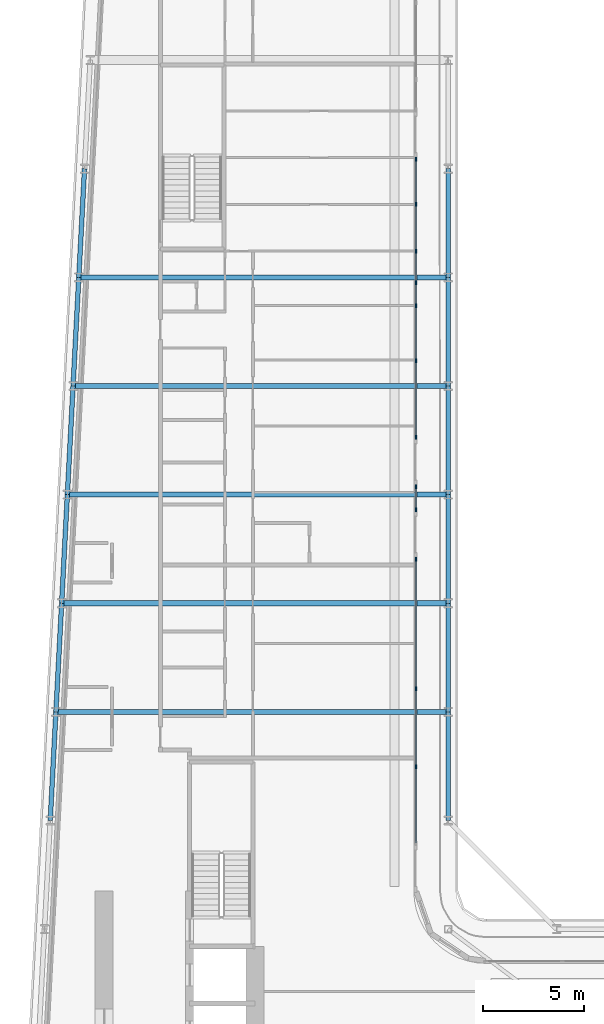
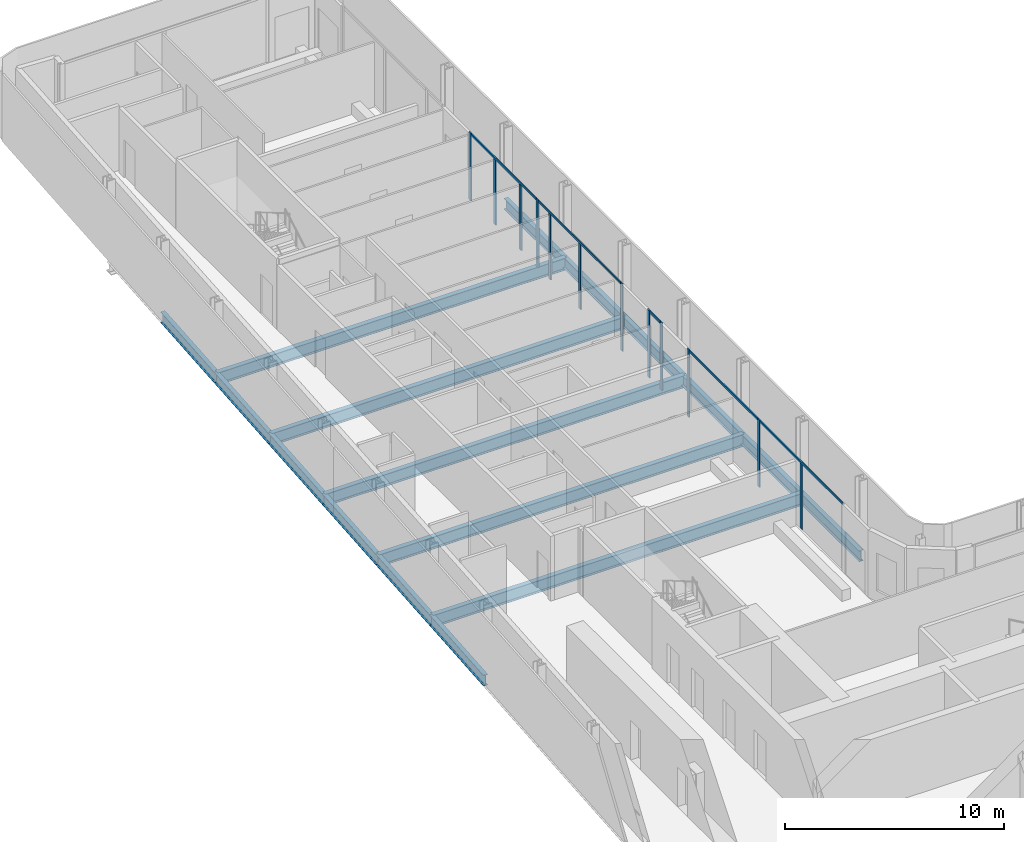
# One storey, part 7 of 28: 17 beams, 17 members, 5 elements without a shape of their own.
"""IFC4 building model written with IfcOpenShell, lengths in metres."""

from ifc_helpers import new_model, si_unit, direction, frame, origin, origin_2d, place, context, subcontext, project, spatial, rectangle, i_section, extrude, material, layer, layer_set, material_profile, profile_set, type_object, element, aggregate, save


model = new_model("IFC4")

# Units and contexts
model_context = context("Model", 3, precision=1e-05, world=origin(), true_north=direction((0.0, 1.0)))
body_context = subcontext(model_context, "Body", "Model", "MODEL_VIEW")
ifc_project = project(units=[si_unit("LENGTHUNIT", "METRE"), si_unit("AREAUNIT", "SQUARE_METRE"), si_unit("VOLUMEUNIT", "CUBIC_METRE"), si_unit("PLANEANGLEUNIT", "RADIAN"), si_unit("MASSUNIT", "GRAM", prefix="KILO")], contexts=[model_context])

# Site, building, storey
site_placement = place(None, origin())
site = spatial("IfcSite", under=ifc_project, at=site_placement, CompositionType="ELEMENT")
building_placement = place(site_placement, origin())
building = spatial("IfcBuilding", under=site, at=building_placement, Name="Kheshtan School and Residences Tower", CompositionType="ELEMENT")
storey_placement = place(building_placement, frame((0.0, 0.0, 133.10009765625)))
storey = spatial("IfcBuildingStorey", under=building, at=storey_placement, Name="L31", CompositionType="ELEMENT", Elevation=133.10009765625)

# Beams
ifc_material_1 = material(Name="Steel ASTM A992 Grade 50", Category="steel")
ifc_material_profile_1 = material_profile(ifc_material_1, i_section(OverallWidth=0.2529296875, OverallDepth=0.677978515625, WebThickness=0.01171875, FlangeThickness=0.016357421875, FilletRadius=0.0146484375, at=origin_2d()), Name="W690x125")
ifc_profile_set_1 = profile_set([ifc_material_profile_1], Name="Steel ASTM A992 Grade 50")
beam_type_1 = type_object("IfcBeamType", Name="Beam FB6 W690x125 ASTM A992 Grade 50", PredefinedType="BEAM", material=ifc_profile_set_1)
beam_1_placement = place(storey_placement, frame((47.60009765625, 78.0, -0.489013671875), z_axis=(-1.0, 0.0, 0.0), x_axis=(0.0, -1.0, 0.0)))
element("IfcBeam", 1, at=beam_1_placement, inside=storey, type_object=beam_type_1, Name="Floor beam C089", PredefinedType="BEAM", context=body_context, shape_type="SweptSolid", body=[
    extrude(i_section(OverallWidth=0.2529296875, OverallDepth=0.677978515625, WebThickness=0.01171875, FlangeThickness=0.016357421875, FilletRadius=0.0146484375, at=origin_2d()), origin(), (0.0, 0.0, 1.0), 18.357177734375),
])
beam_2_placement = place(storey_placement, frame((47.60009765625, 67.199951171875, -0.489013671875), z_axis=(-1.0, 0.0, 0.0), x_axis=(0.0, -1.0, 0.0)))
element("IfcBeam", 2, at=beam_2_placement, inside=storey, type_object=beam_type_1, Name="Floor beam C085", PredefinedType="BEAM", context=body_context, shape_type="SweptSolid", body=[
    extrude(i_section(OverallWidth=0.2529296875, OverallDepth=0.677978515625, WebThickness=0.01171875, FlangeThickness=0.016357421875, FilletRadius=0.0146484375, at=origin_2d()), origin(), (0.0, 0.0, 1.0), 18.926025390625),
])
beam_3_placement = place(storey_placement, frame((47.60009765625, 56.39990234375, -0.489013671875), z_axis=(-1.0, 0.0, 0.0), x_axis=(0.0, -1.0, 0.0)))
element("IfcBeam", 3, at=beam_3_placement, inside=storey, type_object=beam_type_1, Name="Floor beam C081", PredefinedType="BEAM", context=body_context, shape_type="SweptSolid", body=[
    extrude(i_section(OverallWidth=0.2529296875, OverallDepth=0.677978515625, WebThickness=0.01171875, FlangeThickness=0.016357421875, FilletRadius=0.0146484375, at=origin_2d()), origin(), (0.0, 0.0, 1.0), 19.494140625),
])
beam_4_placement = place(storey_placement, frame((28.389892578125, 61.800048828125, -0.489013671875), z_axis=(1.0, 0.0, 0.0), x_axis=(0.0, 1.0, 0.0)))
element("IfcBeam", 4, at=beam_4_placement, inside=storey, type_object=beam_type_1, Name="Floor beam C082", PredefinedType="BEAM", context=body_context, shape_type="SweptSolid", body=[
    extrude(i_section(OverallWidth=0.2529296875, OverallDepth=0.677978515625, WebThickness=0.01171875, FlangeThickness=0.016357421875, FilletRadius=0.0146484375, at=origin_2d()), origin(), (0.0, 0.0, 1.0), 19.210205078125),
])
beam_5_placement = place(storey_placement, frame((28.9580078125, 72.60009765625, -0.489013671875), z_axis=(1.0, 0.0, 0.0), x_axis=(0.0, 1.0, 0.0)))
element("IfcBeam", 5, at=beam_5_placement, inside=storey, type_object=beam_type_1, Name="Floor beam C086", PredefinedType="BEAM", context=body_context, shape_type="SweptSolid", body=[
    extrude(i_section(OverallWidth=0.2529296875, OverallDepth=0.677978515625, WebThickness=0.01171875, FlangeThickness=0.016357421875, FilletRadius=0.0146484375, at=origin_2d()), origin(), (0.0, 0.0, 1.0), 18.64208984375),
])
ifc_material_profile_2 = material_profile(ifc_material_1, i_section(OverallWidth=0.22802734375, OverallDepth=0.60302734375, WebThickness=0.010498046875, FlangeThickness=0.014892578125, FilletRadius=0.013427734375, at=origin_2d()), Name="W610x101")
ifc_profile_set_2 = profile_set([ifc_material_profile_2], Name="Steel ASTM A992 Grade 50")
beam_type_2 = type_object("IfcBeamType", Name="Beam SP2 W610x101 ASTM A992 Grade 50", PredefinedType="BEAM", material=ifc_profile_set_2)
for number, where, z_axis, x_axis, name in (
    (6, (47.60009765625, 83.39990234375, -0.45166015625), (0.0, -1.0, 0.0), (1.0, 0.0, 0.0), "Spandrel beam C091-C089"),
    (7, (47.60009765625, 78.0, -0.45166015625), (0.0, -1.0, 0.0), (1.0, 0.0, 0.0), "Spandrel beam C089-C087"),
):
    element("IfcBeam", number, at=place(storey_placement, frame(where, z_axis=z_axis, x_axis=x_axis)), inside=storey, type_object=beam_type_2, Name=name, PredefinedType="BEAM", context=body_context, shape_type="SweptSolid", body=[
        extrude(i_section(OverallWidth=0.22802734375, OverallDepth=0.60302734375, WebThickness=0.010498046875, FlangeThickness=0.014892578125, FilletRadius=0.013427734375, at=origin_2d()), origin(), (0.0, 0.0, 1.0), 5.39990234375),
    ])
beam_6_placement = place(storey_placement, frame((47.60009765625, 72.60009765625, -0.45166015625), z_axis=(0.0, -1.0, 0.0), x_axis=(1.0, 0.0, 0.0)))
element("IfcBeam", 8, at=beam_6_placement, inside=storey, type_object=beam_type_2, Name="Spandrel beam C087-C085", PredefinedType="BEAM", context=body_context, shape_type="SweptSolid", body=[
    extrude(i_section(OverallWidth=0.22802734375, OverallDepth=0.60302734375, WebThickness=0.010498046875, FlangeThickness=0.014892578125, FilletRadius=0.013427734375, at=origin_2d()), origin(), (0.0, 0.0, 1.0), 5.400146484375),
])
beam_7_placement = place(storey_placement, frame((47.60009765625, 67.199951171875, -0.45166015625), z_axis=(0.0, -1.0, 0.0), x_axis=(1.0, 0.0, 0.0)))
element("IfcBeam", 9, at=beam_7_placement, inside=storey, type_object=beam_type_2, Name="Spandrel beam C085-C083", PredefinedType="BEAM", context=body_context, shape_type="SweptSolid", body=[
    extrude(i_section(OverallWidth=0.22802734375, OverallDepth=0.60302734375, WebThickness=0.010498046875, FlangeThickness=0.014892578125, FilletRadius=0.013427734375, at=origin_2d()), origin(), (0.0, 0.0, 1.0), 5.39990234375),
])
beam_8_placement = place(storey_placement, frame((47.60009765625, 61.800048828125, -0.45166015625), z_axis=(0.0, -1.0, 0.0), x_axis=(1.0, 0.0, 0.0)))
element("IfcBeam", 10, at=beam_8_placement, inside=storey, type_object=beam_type_2, Name="Spandrel beam C083-C081", PredefinedType="BEAM", context=body_context, shape_type="SweptSolid", body=[
    extrude(i_section(OverallWidth=0.22802734375, OverallDepth=0.60302734375, WebThickness=0.010498046875, FlangeThickness=0.014892578125, FilletRadius=0.013427734375, at=origin_2d()), origin(), (0.0, 0.0, 1.0), 5.400146484375),
])
beam_9_placement = place(storey_placement, frame((47.60009765625, 56.39990234375, -0.45166015625), z_axis=(0.0, -1.0, 0.0), x_axis=(1.0, 0.0, 0.0)))
element("IfcBeam", 11, at=beam_9_placement, inside=storey, type_object=beam_type_2, Name="Spandrel beam C081-C079", PredefinedType="BEAM", context=body_context, shape_type="SweptSolid", body=[
    extrude(i_section(OverallWidth=0.22802734375, OverallDepth=0.60302734375, WebThickness=0.010498046875, FlangeThickness=0.014892578125, FilletRadius=0.013427734375, at=origin_2d()), origin(), (0.0, 0.0, 1.0), 5.39990234375),
])
beam_10_placement = place(storey_placement, frame((27.822021484375, 51.0, -0.45166015625), z_axis=(0.05250906864, 0.998620447272, 0.0), x_axis=(-0.998620447272, 0.05250906864, 0.0)))
element("IfcBeam", 12, at=beam_10_placement, inside=storey, type_object=beam_type_2, Name="Spandrel beam C078-C080", PredefinedType="BEAM", context=body_context, shape_type="SweptSolid", body=[
    extrude(i_section(OverallWidth=0.22802734375, OverallDepth=0.60302734375, WebThickness=0.010498046875, FlangeThickness=0.014892578125, FilletRadius=0.013427734375, at=origin_2d()), origin(), (0.0, 0.0, 1.0), 5.407470703125),
])
beam_11_placement = place(storey_placement, frame((28.10595703125, 56.39990234375, -0.45166015625), z_axis=(0.05250670125, 0.998620571751, 0.0), x_axis=(-0.998620571751, 0.05250670125, 0.0)))
element("IfcBeam", 13, at=beam_11_placement, inside=storey, type_object=beam_type_2, Name="Spandrel beam C080-C082", PredefinedType="BEAM", context=body_context, shape_type="SweptSolid", body=[
    extrude(i_section(OverallWidth=0.22802734375, OverallDepth=0.60302734375, WebThickness=0.010498046875, FlangeThickness=0.014892578125, FilletRadius=0.013427734375, at=origin_2d()), origin(), (0.0, 0.0, 1.0), 5.40771484375),
])
beam_12_placement = place(storey_placement, frame((28.389892578125, 61.800048828125, -0.45166015625), z_axis=(0.052554093665, 0.998618078766, 0.0), x_axis=(-0.998618078766, 0.052554093665, 0.0)))
element("IfcBeam", 14, at=beam_12_placement, inside=storey, type_object=beam_type_2, Name="Spandrel beam C082-C084", PredefinedType="BEAM", context=body_context, shape_type="SweptSolid", body=[
    extrude(i_section(OverallWidth=0.22802734375, OverallDepth=0.60302734375, WebThickness=0.010498046875, FlangeThickness=0.014892578125, FilletRadius=0.013427734375, at=origin_2d()), origin(), (0.0, 0.0, 1.0), 5.407470703125),
])
beam_13_placement = place(storey_placement, frame((28.674072265625, 67.199951171875, -0.45166015625), z_axis=(0.05250670125, 0.998620571751, 0.0), x_axis=(-0.998620571751, 0.05250670125, 0.0)))
element("IfcBeam", 15, at=beam_13_placement, inside=storey, type_object=beam_type_2, Name="Spandrel beam C084-C086", PredefinedType="BEAM", context=body_context, shape_type="SweptSolid", body=[
    extrude(i_section(OverallWidth=0.22802734375, OverallDepth=0.60302734375, WebThickness=0.010498046875, FlangeThickness=0.014892578125, FilletRadius=0.013427734375, at=origin_2d()), origin(), (0.0, 0.0, 1.0), 5.40771484375),
])
for number, where, z_axis, x_axis, name in (
    (16, (28.9580078125, 72.60009765625, -0.45166015625), (0.052689166816, 0.998610961136, 0.0), (-0.998610961136, 0.052689166816, 0.0), "Spandrel beam C086-C088"),
    (17, (29.242919921875, 78.0, -0.45166015625), (0.052554093665, 0.998618078766, 0.0), (-0.998618078766, 0.052554093665, 0.0), "Spandrel beam C088-C090"),
):
    element("IfcBeam", number, at=place(storey_placement, frame(where, z_axis=z_axis, x_axis=x_axis)), inside=storey, type_object=beam_type_2, Name=name, PredefinedType="BEAM", context=body_context, shape_type="SweptSolid", body=[
        extrude(i_section(OverallWidth=0.22802734375, OverallDepth=0.60302734375, WebThickness=0.010498046875, FlangeThickness=0.014892578125, FilletRadius=0.013427734375, at=origin_2d()), origin(), (0.0, 0.0, 1.0), 5.407470703125),
    ])

# Curtain wall, members
ifc_material_2 = material(Name="Clear low-e glass in thermally broken aluminium frame", Category="aluminium")
ifc_layer = layer(ifc_material_2, 0.199951171875)
ifc_layer_set = layer_set([ifc_layer], Name="Curtain wall CW-L")
curtain_wall_type = type_object("IfcCurtainWallType", Name="Curtain wall CW-L", PredefinedType="NOTDEFINED", material=ifc_layer_set)
curtain_wall_1_placement = place(storey_placement, origin())
curtain_wall_1 = element("IfcCurtainWall", 18, at=curtain_wall_1_placement, inside=storey, type_object=curtain_wall_type, Name="Curtain wall CWL8b", PredefinedType="NOTDEFINED")
ifc_material_3 = material(Name="Thermally broken aluminium, dark bronze anodised", Category="aluminium")
ifc_material_profile_3 = material_profile(ifc_material_3, rectangle(XDim=0.06005859375, YDim=0.199951171875, at=origin_2d()), Name="CW-L mullion 60x200")
ifc_profile_set_3 = profile_set([ifc_material_profile_3], Name="Thermally broken aluminium, dark bronze anodised")
member_type_1 = type_object("IfcMemberType", Name="CW-L mullion 60x200", PredefinedType="MULLION", material=ifc_profile_set_3)
member_1_placement = place(storey_placement, frame((46.0, 83.8759765625, 0.0), z_axis=(0.0, 0.0, 1.0), x_axis=(1.0, 0.0, 0.0)))
member_1 = element("IfcMember", 19, at=member_1_placement, type_object=member_type_1, Name="CWL8b mullion 1", PredefinedType="MULLION", context=body_context, shape_type="SweptSolid", body=[
    extrude(rectangle(XDim=0.06005859375, YDim=0.199951171875, at=origin_2d()), origin(), (0.0, 0.0, 1.0), 3.75),
])
member_2_placement = place(storey_placement, frame((46.0, 81.625, 0.0), z_axis=(0.0, 0.0, 1.0), x_axis=(1.0, 0.0, 0.0)))
member_2 = element("IfcMember", 20, at=member_2_placement, type_object=member_type_1, Name="CWL8b mullion 2", PredefinedType="MULLION", context=body_context, shape_type="SweptSolid", body=[
    extrude(rectangle(XDim=0.06005859375, YDim=0.199951171875, at=origin_2d()), origin(), (0.0, 0.0, 1.0), 3.6298828125),
])
member_3_placement = place(storey_placement, frame((46.0, 79.300048828125, 0.0), z_axis=(0.0, 0.0, 1.0), x_axis=(1.0, 0.0, 0.0)))
member_3 = element("IfcMember", 21, at=member_3_placement, type_object=member_type_1, Name="CWL8b mullion 3", PredefinedType="MULLION", context=body_context, shape_type="SweptSolid", body=[
    extrude(rectangle(XDim=0.06005859375, YDim=0.199951171875, at=origin_2d()), origin(), (0.0, 0.0, 1.0), 3.6298828125),
])
member_4_placement = place(storey_placement, frame((46.0, 77.741943359375, 0.0), z_axis=(0.0, 0.0, 1.0), x_axis=(1.0, 0.0, 0.0)))
member_4 = element("IfcMember", 22, at=member_4_placement, type_object=member_type_1, Name="CWL8b mullion 4", PredefinedType="MULLION", context=body_context, shape_type="SweptSolid", body=[
    extrude(rectangle(XDim=0.06005859375, YDim=0.199951171875, at=origin_2d()), origin(), (0.0, 0.0, 1.0), 3.75),
])

curtain_wall_2_placement = place(storey_placement, origin())
curtain_wall_2 = element("IfcCurtainWall", 23, at=curtain_wall_2_placement, inside=storey, type_object=curtain_wall_type, Name="Curtain wall CWL8c", PredefinedType="NOTDEFINED")
member_5_placement = place(storey_placement, frame((46.0, 76.60009765625, 0.0), z_axis=(0.0, 0.0, 1.0), x_axis=(1.0, 0.0, 0.0)))
member_5 = element("IfcMember", 24, at=member_5_placement, type_object=member_type_1, Name="CWL8c mullion 2", PredefinedType="MULLION", context=body_context, shape_type="SweptSolid", body=[
    extrude(rectangle(XDim=0.06005859375, YDim=0.199951171875, at=origin_2d()), origin(), (0.0, 0.0, 1.0), 3.6298828125),
])
member_6_placement = place(storey_placement, frame((46.0, 73.864990234375, 0.0), z_axis=(0.0, 0.0, 1.0), x_axis=(1.0, 0.0, 0.0)))
member_6 = element("IfcMember", 25, at=member_6_placement, type_object=member_type_1, Name="CWL8c mullion 3", PredefinedType="MULLION", context=body_context, shape_type="SweptSolid", body=[
    extrude(rectangle(XDim=0.06005859375, YDim=0.199951171875, at=origin_2d()), origin(), (0.0, 0.0, 1.0), 3.6298828125),
])
member_7_placement = place(storey_placement, frame((46.0, 70.048095703125, 0.0), z_axis=(0.0, 0.0, 1.0), x_axis=(1.0, 0.0, 0.0)))
member_7 = element("IfcMember", 26, at=member_7_placement, type_object=member_type_1, Name="CWL8c mullion 4", PredefinedType="MULLION", context=body_context, shape_type="SweptSolid", body=[
    extrude(rectangle(XDim=0.06005859375, YDim=0.199951171875, at=origin_2d()), origin(), (0.0, 0.0, 1.0), 3.75),
])

curtain_wall_3_placement = place(storey_placement, origin())
curtain_wall_3 = element("IfcCurtainWall", 27, at=curtain_wall_3_placement, inside=storey, type_object=curtain_wall_type, Name="Curtain wall CWL8g", PredefinedType="NOTDEFINED")
member_8_placement = place(storey_placement, frame((46.0, 67.587890625, 0.0), z_axis=(0.0, 0.0, 1.0), x_axis=(1.0, 0.0, 0.0)))
member_8 = element("IfcMember", 28, at=member_8_placement, type_object=member_type_1, Name="CWL8g mullion 1", PredefinedType="MULLION", context=body_context, shape_type="SweptSolid", body=[
    extrude(rectangle(XDim=0.06005859375, YDim=0.199951171875, at=origin_2d()), origin(), (0.0, 0.0, 1.0), 3.75),
])
member_9_placement = place(storey_placement, frame((46.0, 66.447998046875, 0.0), z_axis=(0.0, 0.0, 1.0), x_axis=(1.0, 0.0, 0.0)))
member_9 = element("IfcMember", 29, at=member_9_placement, type_object=member_type_1, Name="CWL8g mullion 2", PredefinedType="MULLION", context=body_context, shape_type="SweptSolid", body=[
    extrude(rectangle(XDim=0.06005859375, YDim=0.199951171875, at=origin_2d()), origin(), (0.0, 0.0, 1.0), 3.75),
])

curtain_wall_4_placement = place(storey_placement, origin())
curtain_wall_4 = element("IfcCurtainWall", 30, at=curtain_wall_4_placement, inside=storey, type_object=curtain_wall_type, Name="Curtain wall CWL8h", PredefinedType="NOTDEFINED")
member_10_placement = place(storey_placement, frame((46.0, 63.988037109375, 0.0), z_axis=(0.0, 0.0, 1.0), x_axis=(1.0, 0.0, 0.0)))
member_10 = element("IfcMember", 31, at=member_10_placement, type_object=member_type_1, Name="CWL8h mullion 1", PredefinedType="MULLION", context=body_context, shape_type="SweptSolid", body=[
    extrude(rectangle(XDim=0.06005859375, YDim=0.199951171875, at=origin_2d()), origin(), (0.0, 0.0, 1.0), 3.75),
])
member_11_placement = place(storey_placement, frame((46.0, 57.553955078125, 0.0), z_axis=(0.0, 0.0, 1.0), x_axis=(1.0, 0.0, 0.0)))
member_11 = element("IfcMember", 32, at=member_11_placement, type_object=member_type_1, Name="CWL8h mullion 2", PredefinedType="MULLION", context=body_context, shape_type="SweptSolid", body=[
    extrude(rectangle(XDim=0.06005859375, YDim=0.199951171875, at=origin_2d()), origin(), (0.0, 0.0, 1.0), 3.75),
])

# Curtain wall, member
curtain_wall_5_placement = place(storey_placement, origin())
curtain_wall_5 = element("IfcCurtainWall", 33, at=curtain_wall_5_placement, inside=storey, type_object=curtain_wall_type, Name="Curtain wall CWL8", PredefinedType="NOTDEFINED")
member_12_placement = place(storey_placement, frame((46.0, 53.677001953125, 0.0), z_axis=(0.0, 0.0, 1.0), x_axis=(1.0, 0.0, 0.0)))
member_12 = element("IfcMember", 34, at=member_12_placement, type_object=member_type_1, Name="CWL8 mullion 2", PredefinedType="MULLION", context=body_context, shape_type="SweptSolid", body=[
    extrude(rectangle(XDim=0.06005859375, YDim=0.199951171875, at=origin_2d()), origin(), (0.0, 0.0, 1.0), 3.6298828125),
])

# Member
ifc_material_profile_4 = material_profile(ifc_material_3, rectangle(XDim=0.06005859375, YDim=0.1201171875, at=origin_2d()), Name="CW-L transom 60x120")
ifc_profile_set_4 = profile_set([ifc_material_profile_4], Name="Thermally broken aluminium, dark bronze anodised")
member_type_2 = type_object("IfcMemberType", Name="CW-L transom 60x120", PredefinedType="USERDEFINED", material=ifc_profile_set_4)
member_13_placement = place(storey_placement, frame((46.0, 83.845947265625, 3.68994140625), z_axis=(0.0, -1.0, 0.0), x_axis=(1.0, 0.0, 0.0)))
member_13 = element("IfcMember", 35, at=member_13_placement, type_object=member_type_2, Name="CWL8b transom 1", ObjectType="TRANSOM", PredefinedType="USERDEFINED", context=body_context, shape_type="SweptSolid", body=[
    extrude(rectangle(XDim=0.06005859375, YDim=0.1201171875, at=origin_2d()), origin(), (0.0, 0.0, 1.0), 6.073974609375),
])

aggregate(curtain_wall_1, [member_1, member_2, member_3, member_4, member_13])

member_14_placement = place(storey_placement, frame((46.0, 77.7119140625, 3.68994140625), z_axis=(0.0, -1.0, 0.0), x_axis=(1.0, 0.0, 0.0)))
member_14 = element("IfcMember", 36, at=member_14_placement, type_object=member_type_2, Name="CWL8c transom 1", ObjectType="TRANSOM", PredefinedType="USERDEFINED", context=body_context, shape_type="SweptSolid", body=[
    extrude(rectangle(XDim=0.06005859375, YDim=0.1201171875, at=origin_2d()), origin(), (0.0, 0.0, 1.0), 7.634033203125),
])

aggregate(curtain_wall_2, [member_5, member_6, member_7, member_14])

member_15_placement = place(storey_placement, frame((46.0, 67.55810546875, 3.68994140625), z_axis=(0.0, -1.0, 0.0), x_axis=(1.0, 0.0, 0.0)))
member_15 = element("IfcMember", 37, at=member_15_placement, type_object=member_type_2, Name="CWL8g transom 1", ObjectType="TRANSOM", PredefinedType="USERDEFINED", context=body_context, shape_type="SweptSolid", body=[
    extrude(rectangle(XDim=0.06005859375, YDim=0.1201171875, at=origin_2d()), origin(), (0.0, 0.0, 1.0), 1.080078125),
])

aggregate(curtain_wall_3, [member_8, member_9, member_15])

member_16_placement = place(storey_placement, frame((46.0, 63.9580078125, 3.68994140625), z_axis=(0.0, -1.0, 0.0), x_axis=(1.0, 0.0, 0.0)))
member_16 = element("IfcMember", 38, at=member_16_placement, type_object=member_type_2, Name="CWL8h transom 1", ObjectType="TRANSOM", PredefinedType="USERDEFINED", context=body_context, shape_type="SweptSolid", body=[
    extrude(rectangle(XDim=0.06005859375, YDim=0.1201171875, at=origin_2d()), origin(), (0.0, 0.0, 1.0), 6.3740234375),
])

aggregate(curtain_wall_4, [member_10, member_11, member_16])

member_17_placement = place(storey_placement, frame((46.0, 57.52392578125, 3.68994140625), z_axis=(0.0, -1.0, 0.0), x_axis=(1.0, 0.0, 0.0)))
member_17 = element("IfcMember", 39, at=member_17_placement, type_object=member_type_2, Name="CWL8 transom 1", ObjectType="TRANSOM", PredefinedType="USERDEFINED", context=body_context, shape_type="SweptSolid", body=[
    extrude(rectangle(XDim=0.06005859375, YDim=0.1201171875, at=origin_2d()), origin(), (0.0, 0.0, 1.0), 7.634033203125),
])

aggregate(curtain_wall_5, [member_12, member_17])

save(model, "model.ifc")
